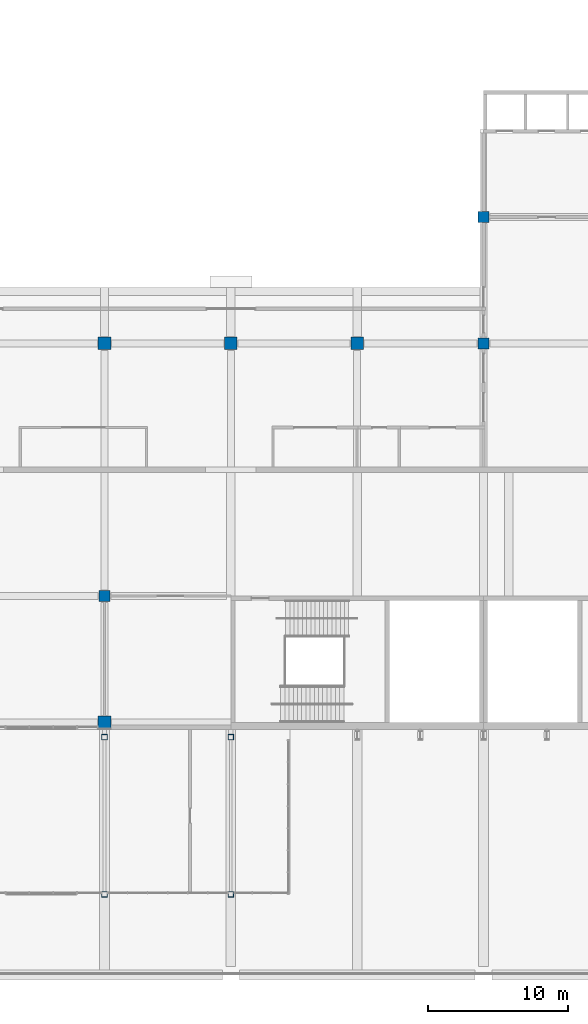
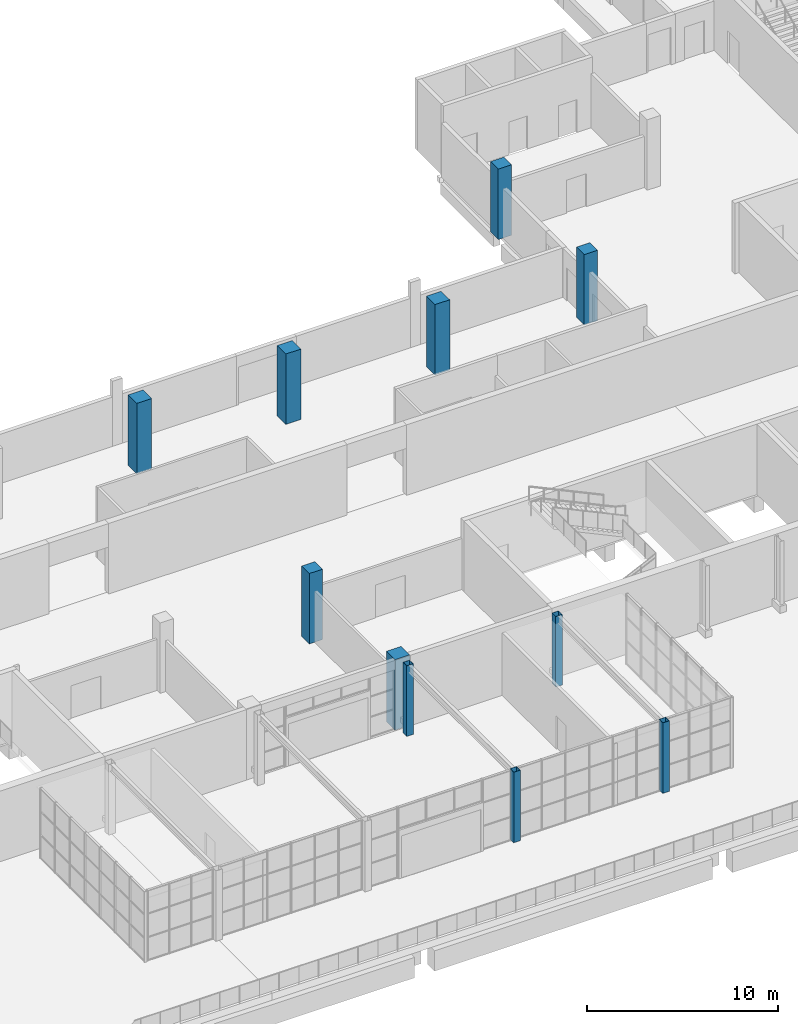
# One storey, part 9 of 168: 11 columns.
"""IFC4 building model written with IfcOpenShell, lengths in metres."""

from ifc_helpers import new_model, si_unit, direction, frame, origin, origin_2d, place, context, subcontext, project, spatial, rectangle, hollow_rectangle, extrude, material, material_profile, profile_set, type_object, element, save


model = new_model("IFC4")

# Units and contexts
model_context = context("Model", 3, precision=1e-05, world=origin(), true_north=direction((0.0, 1.0)))
body_context = subcontext(model_context, "Body", "Model", "MODEL_VIEW")
ifc_project = project(units=[si_unit("LENGTHUNIT", "METRE"), si_unit("AREAUNIT", "SQUARE_METRE"), si_unit("VOLUMEUNIT", "CUBIC_METRE"), si_unit("PLANEANGLEUNIT", "RADIAN"), si_unit("MASSUNIT", "GRAM", prefix="KILO")], contexts=[model_context])

# Site, building, storey
site_placement = place(None, origin())
site = spatial("IfcSite", under=ifc_project, at=site_placement, CompositionType="ELEMENT")
building_placement = place(site_placement, origin())
building = spatial("IfcBuilding", under=site, at=building_placement, Name="Silverbay Arena", CompositionType="ELEMENT")
storey_placement = place(building_placement, frame((0.0, 0.0, 7.0)))
storey = spatial("IfcBuildingStorey", under=building, at=storey_placement, Name="L01", CompositionType="ELEMENT", Elevation=7.0)

# Columns
ifc_material_1 = material(Name="Steel S355", Category="steel")
ifc_material_profile_1 = material_profile(ifc_material_1, hollow_rectangle(XDim=0.39990234375, YDim=0.39990234375, WallThickness=0.01611328125, at=origin_2d()), Name="SHS 400x400x16")
ifc_profile_set_1 = profile_set([ifc_material_profile_1], Name="Steel S355")
column_type_1 = type_object("IfcColumnType", Name="Hall column SHS 400x400x16", PredefinedType="COLUMN", material=ifc_profile_set_1)
for number, where, z_axis, x_axis, name in (
    (1, (135.0, 5.75, 0.0), (0.0, 0.0, 1.0), (1.0, 0.0, 0.0), "South entrance hall S1 column F3"),
    (2, (135.0, 16.949951171875, 0.0), (0.0, 0.0, 1.0), (1.0, 0.0, 0.0), "South entrance hall S1 column B3"),
    (3, (144.0, 5.75, 0.0), (0.0, 0.0, 1.0), (1.0, 0.0, 0.0), "South entrance hall S1 column F4"),
    (4, (144.0, 16.949951171875, 0.0), (0.0, 0.0, 1.0), (1.0, 0.0, 0.0), "South entrance hall S1 column B4"),
):
    element("IfcColumn", number, at=place(storey_placement, frame(where, z_axis=z_axis, x_axis=x_axis)), inside=storey, type_object=column_type_1, Name=name, PredefinedType="COLUMN", context=body_context, shape_type="SweptSolid", body=[
        extrude(hollow_rectangle(XDim=0.39990234375, YDim=0.39990234375, WallThickness=0.01611328125, at=origin_2d()), origin(), (0.0, 0.0, 1.0), 4.5),
    ])
ifc_material_2 = material(Name="Concrete Grade C45", Category="concrete")
ifc_material_profile_2 = material_profile(ifc_material_2, rectangle(XDim=0.800048828125, YDim=0.800048828125, at=origin_2d()), Name="RC 800x800")
ifc_profile_set_2 = profile_set([ifc_material_profile_2], Name="Concrete Grade C45")
column_type_2 = type_object("IfcColumnType", Name="RC column 800x800", PredefinedType="COLUMN", material=ifc_profile_set_2)
for number, where, z_axis, x_axis, name in (
    (5, (135.0, 27.0, 0.0), (0.0, 0.0, 1.0), (1.0, 0.0, 0.0), "Column 16/D L01"),
    (6, (162.0, 45.0, 0.0), (0.0, 0.0, 1.0), (1.0, 0.0, 0.0), "Column 19/F L01"),
    (7, (162.0, 54.0, 0.0), (0.0, 0.0, 1.0), (1.0, 0.0, 0.0), "Column 19/G L01"),
):
    element("IfcColumn", number, at=place(storey_placement, frame(where, z_axis=z_axis, x_axis=x_axis)), inside=storey, type_object=column_type_2, Name=name, PredefinedType="COLUMN", context=body_context, shape_type="SweptSolid", body=[
        extrude(rectangle(XDim=0.800048828125, YDim=0.800048828125, at=origin_2d()), origin(), (0.0, 0.0, 1.0), 4.5),
    ])
ifc_material_3 = material(Name="Concrete Grade C45", Category="concrete")
ifc_material_profile_3 = material_profile(ifc_material_3, rectangle(XDim=0.89990234375, YDim=0.89990234375, at=origin_2d()), Name="RC 900x900")
ifc_profile_set_3 = profile_set([ifc_material_profile_3], Name="Concrete Grade C45")
column_type_3 = type_object("IfcColumnType", Name="RC column 900x900", PredefinedType="COLUMN", material=ifc_profile_set_3)
for number, where, z_axis, x_axis, name in (
    (8, (135.0, 18.0, 0.0), (0.0, 0.0, 1.0), (1.0, 0.0, 0.0), "Column 16/C L01"),
    (9, (135.0, 45.0, 0.0), (0.0, 0.0, 1.0), (1.0, 0.0, 0.0), "Column 16/F L01"),
    (10, (144.0, 45.0, 0.0), (0.0, 0.0, 1.0), (1.0, 0.0, 0.0), "Column 17/F L01"),
    (11, (153.0, 45.0, 0.0), (0.0, 0.0, 1.0), (1.0, 0.0, 0.0), "Column 18/F L01"),
):
    element("IfcColumn", number, at=place(storey_placement, frame(where, z_axis=z_axis, x_axis=x_axis)), inside=storey, type_object=column_type_3, Name=name, PredefinedType="COLUMN", context=body_context, shape_type="SweptSolid", body=[
        extrude(rectangle(XDim=0.89990234375, YDim=0.89990234375, at=origin_2d()), origin(), (0.0, 0.0, 1.0), 4.5),
    ])

save(model, "model.ifc")
